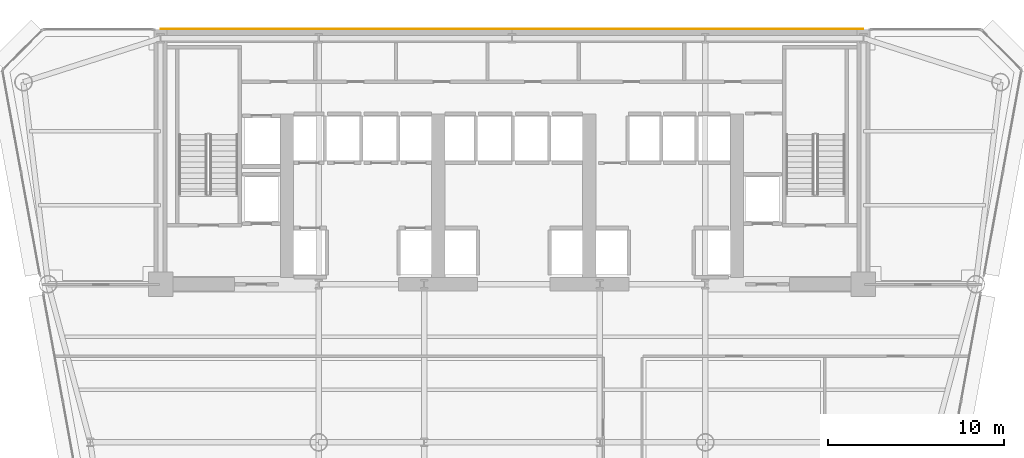
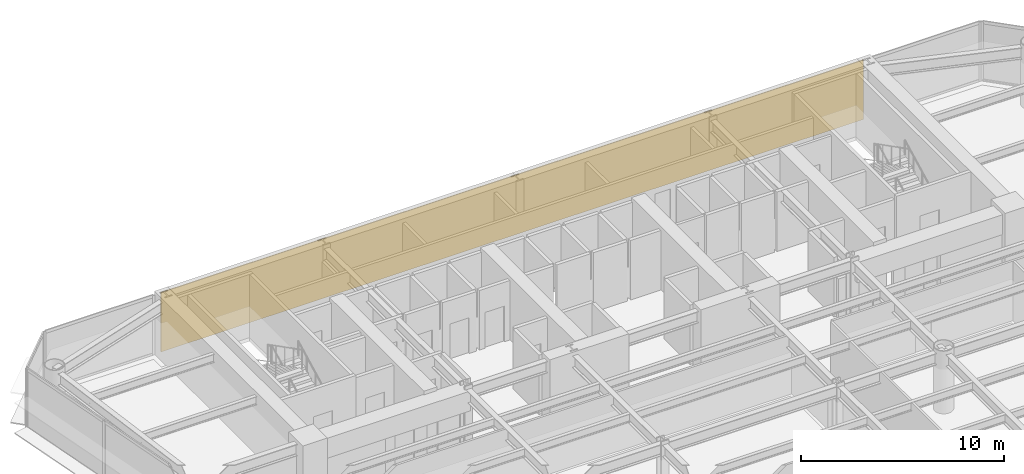
# One storey, part 14 of 15: 1 covering.
"""IFC4 building model written with IfcOpenShell, lengths in metres."""

from ifc_helpers import new_model, si_unit, direction, frame, origin, place, context, subcontext, project, spatial, polyline, outline, extrude, material, layer, layer_set, type_object, element, save


model = new_model("IFC4")

# Units and contexts
model_context = context("Model", 3, precision=1e-05, world=origin(), true_north=direction((0.0, 1.0)))
body_context = subcontext(model_context, "Body", "Model", "MODEL_VIEW")
ifc_project = project(units=[si_unit("LENGTHUNIT", "METRE"), si_unit("AREAUNIT", "SQUARE_METRE"), si_unit("VOLUMEUNIT", "CUBIC_METRE"), si_unit("PLANEANGLEUNIT", "RADIAN"), si_unit("MASSUNIT", "GRAM", prefix="KILO")], contexts=[model_context])

# Site, building, storey
site_placement = place(None, origin())
site = spatial("IfcSite", under=ifc_project, at=site_placement, CompositionType="ELEMENT")
building_placement = place(site_placement, origin())
building = spatial("IfcBuilding", under=site, at=building_placement, Name="Vaeldorn Concourse Tower", CompositionType="ELEMENT")
storey_placement = place(building_placement, frame((0.0, 0.0, 95.800048828125)))
storey = spatial("IfcBuildingStorey", under=building, at=storey_placement, Name="L24", CompositionType="ELEMENT", Elevation=95.800048828125)

# Covering
ifc_material = material(Name="Anodised Bronze Aluminium", Category="aluminium")
ifc_layer = layer(ifc_material, 0.050048828125)
ifc_layer_set = layer_set([ifc_layer], Name="Anodised Bronze Aluminium")
covering_type = type_object("IfcCoveringType", Name="COV-CLAD-BRONZE", PredefinedType="CLADDING", material=ifc_layer_set)
covering_placement = place(storey_placement, origin())
element("IfcCovering", 1, at=covering_placement, inside=storey, type_object=covering_type, Name="Rear Core Bronze Spandrel Cladding L24", PredefinedType="CLADDING", context=body_context, shape_type="SweptSolid", body=[
    extrude(outline(polyline([(14.0, 51.0), (54.0, 51.0), (54.0, 51.050048828125), (14.0, 51.050048828125), (14.0, 51.0)])), origin(), (0.0, 0.0, 1.0), 3.579833984375),
])

save(model, "model.ifc")
